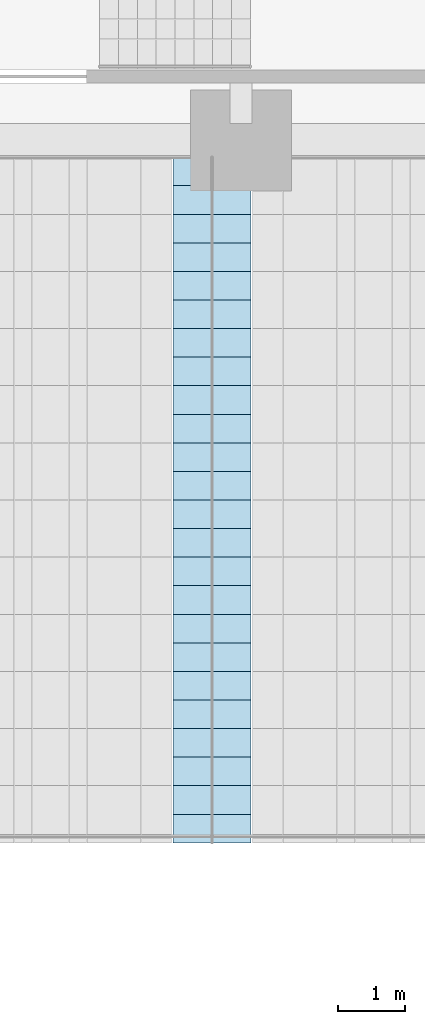
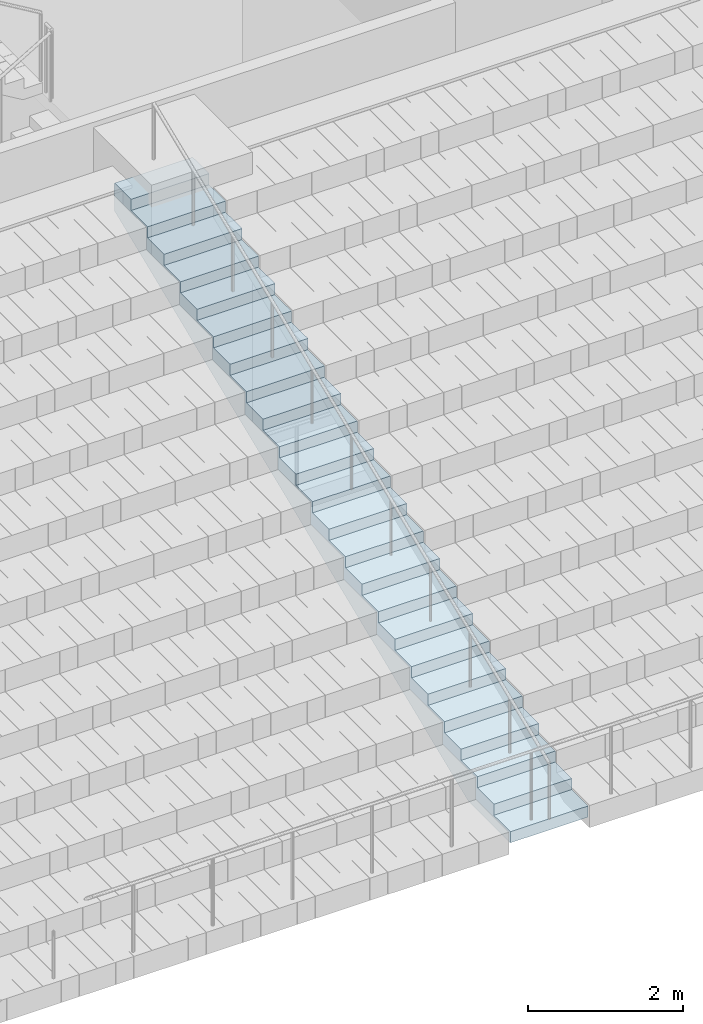
# One storey, part 21 of 61: 1 slab.
"""IFC4 building model written with IfcOpenShell, lengths in metres."""

import ifcopenshell
import ifcopenshell.guid

model = None  # the IFC model being written
_history = None  # IfcOwnerHistory: only IFC2X3 demands one
_inside = {}  # id of a spatial element -> (the spatial element, [elements in it])
_under = {}  # id of a project, library or spatial element -> (it, [spatial elements below it])
_declared = {}  # id of a project -> (the project, [libraries it declares])
_typed = {}  # id of a type object -> (the type object, [elements of that type])
_made_of = {}  # id of a material, layer set ... -> (it, [elements and type objects made of it])


def new_model(schema):
    """Start an empty IFC model of exactly this schema.

    Asked for "IFC4X3", IfcOpenShell would pick the latest addendum, in which some entities
    have other attributes; the version numbers below select the first issue.
    IFC2X3 requires an IfcOwnerHistory on every rooted entity: one is made here for all.
    """
    global model, _history
    if schema == "IFC4X3":
        model = ifcopenshell.file(schema_version=(4, 3, 0, 0))
    else:
        model = ifcopenshell.file(schema=schema)
    _inside.clear()
    _under.clear()
    _declared.clear()
    _typed.clear()
    _made_of.clear()
    _history = None
    if model.schema == "IFC2X3":
        org = make("IfcOrganization", Name="unknown")
        user = make(
            "IfcPersonAndOrganization",
            ThePerson=make("IfcPerson", FamilyName="unknown"),
            TheOrganization=org,
        )
        app = make(
            "IfcApplication",
            ApplicationDeveloper=org,
            Version="unknown",
            ApplicationFullName="unknown",
            ApplicationIdentifier="unknown",
        )
        _history = make(
            "IfcOwnerHistory",
            OwningUser=user,
            OwningApplication=app,
            ChangeAction="ADDED",
            CreationDate=0,
        )
    return model


def make(cls, **values):
    """One entity of the class cls with the attributes given. An attribute that is None is left unset."""
    return model.create_entity(
        cls, **{name: value for name, value in values.items() if value is not None}
    )


def rooted(cls, **values):
    """An entity with a GlobalId (a new one), such as an element, a storey or a relation."""
    return make(cls, GlobalId=ifcopenshell.guid.new(), OwnerHistory=_history, **values)


def si_unit(unit_type, name, prefix=None):
    """IfcSIUnit, for example si_unit("LENGTHUNIT", "METRE", prefix="MILLI")."""
    return make("IfcSIUnit", UnitType=unit_type, Prefix=prefix, Name=name)


def assignment(units):
    """IfcUnitAssignment: the units of a project."""
    return None if units is None else make("IfcUnitAssignment", Units=units)


def point(xyz):
    """IfcCartesianPoint."""
    return None if xyz is None else make("IfcCartesianPoint", Coordinates=xyz)


def direction(xyz):
    """IfcDirection."""
    return None if xyz is None else make("IfcDirection", DirectionRatios=xyz)


def frame(location, z_axis=None, x_axis=None):
    """IfcAxis2Placement3D, a coordinate frame: its origin and axes. An axis left out is left unset."""
    return make(
        "IfcAxis2Placement3D",
        Location=point(location),
        Axis=direction(z_axis),
        RefDirection=direction(x_axis),
    )


def origin():
    """The frame at (0, 0, 0) with its axes left unset."""
    return frame((0.0, 0.0, 0.0))


def place(relative_to, where):
    """IfcLocalPlacement: puts the frame where relative to a parent placement (None: the world)."""
    return make(
        "IfcLocalPlacement", PlacementRelTo=relative_to, RelativePlacement=where
    )


def context(
    kind, dimensions, precision=None, world=None, true_north=None, identifier=None
):
    """IfcGeometricRepresentationContext, for example the 3D "Model" context."""
    return make(
        "IfcGeometricRepresentationContext",
        ContextIdentifier=identifier,
        ContextType=kind,
        CoordinateSpaceDimension=dimensions,
        Precision=precision,
        WorldCoordinateSystem=world,
        TrueNorth=true_north,
    )


def subcontext(parent, identifier, kind, view, scale=None):
    """IfcGeometricRepresentationSubContext, for example "Body" below "Model"."""
    return make(
        "IfcGeometricRepresentationSubContext",
        ContextIdentifier=identifier,
        ContextType=kind,
        ParentContext=parent,
        TargetScale=scale,
        TargetView=view,
    )


def project(units=None, contexts=None):
    """IfcProject with its units and contexts."""
    return rooted(
        "IfcProject",
        Name="project",
        RepresentationContexts=contexts,
        UnitsInContext=assignment(units),
    )


def spatial(cls, under=None, at=None, **own):
    """A site, building, storey or space (cls), placed at a placement, below another one or the project."""
    s = rooted(cls, ObjectPlacement=at, **own)
    if under is not None:
        _under.setdefault(under.id(), (under, []))[1].append(s)
    return s


def polyline(points):
    """IfcPolyline through the points."""
    return make("IfcPolyline", Points=[point(p) for p in points])


def outline(outer, holes=None, kind="AREA"):
    """IfcArbitraryClosedProfileDef: a profile drawn as a closed curve; with holes, ...WithVoids."""
    if holes is None:
        return make("IfcArbitraryClosedProfileDef", ProfileType=kind, OuterCurve=outer)
    return make(
        "IfcArbitraryProfileDefWithVoids",
        ProfileType=kind,
        OuterCurve=outer,
        InnerCurves=holes,
    )


def extrude(swept, where, along, depth):
    """IfcExtrudedAreaSolid: the profile swept, set in the frame where, extruded along a direction by depth."""
    return make(
        "IfcExtrudedAreaSolid",
        SweptArea=swept,
        Position=where,
        ExtrudedDirection=direction(along),
        Depth=depth,
    )


def shape(context_of_items, identifier, shape_type, items):
    """IfcShapeRepresentation: the items that make up one representation, for example the "Body"."""
    return make(
        "IfcShapeRepresentation",
        ContextOfItems=context_of_items,
        RepresentationIdentifier=identifier,
        RepresentationType=shape_type,
        Items=items,
    )


def material(Name=None, Category=None):
    """IfcMaterial."""
    return make("IfcMaterial", Name=Name, Category=Category)


def layer(
    of_material, thickness, ventilated=None, Name=None, Category=None, Priority=None
):
    """IfcMaterialLayer: one layer of a wall or slab, of a material (None: an air gap)."""
    return make(
        "IfcMaterialLayer",
        Material=of_material,
        LayerThickness=thickness,
        IsVentilated=ventilated,
        Name=Name,
        Category=Category,
        Priority=Priority,
    )


def layer_set(layers, Name=None):
    """IfcMaterialLayerSet."""
    return make("IfcMaterialLayerSet", MaterialLayers=layers, LayerSetName=Name)


def made_of(thing, what):
    """Note that an element or type object is made of a material, layer set ...; save() writes the relation."""
    if what is not None:
        _made_of.setdefault(what.id(), (what, []))[1].append(thing)
    return thing


def type_object(cls, material=None, **own):
    """A type object (cls), such as IfcWallType, which elements share."""
    return made_of(rooted(cls, **own), material)


def element(
    cls,
    number,
    at=None,
    inside=None,
    cuts=None,
    type_object=None,
    material=None,
    context=None,
    identifier="Body",
    shape_type=None,
    held_by="IfcProductDefinitionShape",
    body=None,
    shapes=None,
    **own,
):
    """One element of the class cls, such as IfcWall. Its Tag is "e" and its number.

    at: its placement. inside: the storey or other place that contains it. cuts: it is an
    opening in that element (IfcRelVoidsElement). A single representation is given by context,
    identifier, shape_type and body (its items); several are given by shapes. held_by: the class
    of the entity that holds the representations. save() writes the other relations.
    """
    e = rooted(cls, Tag="e%d" % number, ObjectPlacement=at, **own)
    if body is not None:
        shapes = [shape(context, identifier, shape_type, body)]
    if shapes is not None:
        e.Representation = make(held_by, Representations=shapes)
    if inside is not None:
        _inside.setdefault(inside.id(), (inside, []))[1].append(e)
    if cuts is not None:
        rooted(
            "IfcRelVoidsElement", RelatingBuildingElement=cuts, RelatedOpeningElement=e
        )
    if type_object is not None:
        _typed.setdefault(type_object.id(), (type_object, []))[1].append(e)
    return made_of(e, material)


def aggregate(whole, parts):
    """IfcRelAggregates: a whole, such as a stair, and the parts it consists of."""
    return rooted("IfcRelAggregates", RelatingObject=whole, RelatedObjects=parts)


def save(model, path):
    """Write the relations noted so far, then the file.

    IfcRelAggregates (storeys below a building ...), IfcRelContainedInSpatialStructure (elements
    in a storey), IfcRelDefinesByType, IfcRelAssociatesMaterial and IfcRelDeclares: one each for
    every whole, place, type object, material and project.
    """
    for whole, parts in _under.values():
        aggregate(whole, parts)
    for where, things in _inside.values():
        rooted(
            "IfcRelContainedInSpatialStructure",
            RelatedElements=things,
            RelatingStructure=where,
        )
    for kind, things in _typed.values():
        rooted("IfcRelDefinesByType", RelatedObjects=things, RelatingType=kind)
    for what, things in _made_of.values():
        rooted("IfcRelAssociatesMaterial", RelatedObjects=things, RelatingMaterial=what)
    for by, libraries in _declared.values():
        rooted("IfcRelDeclares", RelatingContext=by, RelatedDefinitions=libraries)
    model.write(path)


model = new_model("IFC4")

# Units and contexts
model_context = context("Model", 3, precision=1e-05, world=origin(), true_north=direction((0.0, 1.0)))
body_context = subcontext(model_context, "Body", "Model", "MODEL_VIEW")
ifc_project = project(units=[si_unit("LENGTHUNIT", "METRE"), si_unit("AREAUNIT", "SQUARE_METRE"), si_unit("VOLUMEUNIT", "CUBIC_METRE"), si_unit("PLANEANGLEUNIT", "RADIAN"), si_unit("MASSUNIT", "GRAM", prefix="KILO")], contexts=[model_context])

# Site, building, storey
site_placement = place(None, origin())
site = spatial("IfcSite", under=ifc_project, at=site_placement, CompositionType="ELEMENT")
building_placement = place(site_placement, origin())
building = spatial("IfcBuilding", under=site, at=building_placement, Name="Corbelhall Arena Tower", CompositionType="ELEMENT")
storey_placement = place(building_placement, frame((0.0, 0.0, 31.0)))
storey = spatial("IfcBuildingStorey", under=building, at=storey_placement, Name="L04", CompositionType="ELEMENT", Elevation=31.0)

# Slab
ifc_material = material(Name="Precast concrete C40/50", Category="concrete")
ifc_layer = layer(ifc_material, 0.25)
ifc_layer_set = layer_set([ifc_layer], Name="AISLE STEPS (BC 1029)")
slab_type = type_object("IfcSlabType", Name="AISLE STEPS (BC 1029)", PredefinedType="FLOOR", material=ifc_layer_set)
slab_placement = place(storey_placement, frame((6.320068359375, 18.800048828125, 1.625), z_axis=(0.0, 0.0, 1.0), x_axis=(0.0, 1.0, 0.0)))
element("IfcSlab", 1, at=slab_placement, inside=storey, type_object=slab_type, Name="Aisle steps UN-AIS3", PredefinedType="FLOOR", context=body_context, shape_type="SweptSolid", body=[
    extrude(outline(polyline([(0.0, 0.0), (0.0, 0.175048828125), (0.425048828125, 0.175048828125), (0.425048828125, 0.35009765625), (0.85009765625, 0.35009765625), (0.85009765625, 0.52490234375), (1.27490234375, 0.52490234375), (1.27490234375, 0.699951171875), (1.699951171875, 0.699951171875), (1.699951171875, 0.875), (2.125, 0.875), (2.125, 1.050048828125), (2.550048828125, 1.050048828125), (2.550048828125, 1.22509765625), (2.97509765625, 1.22509765625), (2.97509765625, 1.39990234375), (3.39990234375, 1.39990234375), (3.39990234375, 1.574951171875), (3.824951171875, 1.574951171875), (3.824951171875, 1.75), (4.25, 1.75), (4.25, 1.925048828125), (4.675048828125, 1.925048828125), (4.675048828125, 2.10009765625), (5.10009765625, 2.10009765625), (5.10009765625, 2.27490234375), (5.52490234375, 2.27490234375), (5.52490234375, 2.449951171875), (5.949951171875, 2.449951171875), (5.949951171875, 2.625), (6.375, 2.625), (6.375, 2.800048828125), (6.800048828125, 2.800048828125), (6.800048828125, 2.97509765625), (7.22509765625, 2.97509765625), (7.22509765625, 3.14990234375), (7.64990234375, 3.14990234375), (7.64990234375, 3.324951171875), (8.074951171875, 3.324951171875), (8.074951171875, 3.5), (8.5, 3.5), (8.5, 3.675048828125), (8.925048828125, 3.675048828125), (8.925048828125, 3.85009765625), (9.35009765625, 3.85009765625), (9.35009765625, 4.02490234375), (9.77490234375, 4.02490234375), (9.77490234375, 4.199951171875), (10.199951171875, 4.199951171875), (10.199951171875, 4.375), (10.199951171875, 3.754638671875), (1.081787109375, 0.0), (0.0, 0.0)])), frame((0.0, 0.580078125, 0.0), z_axis=(0.0, -1.0, 0.0), x_axis=(1.0, 0.0, 0.0)), (0.0, 0.0, 1.0), 1.159912109375),
])

save(model, "model.ifc")
